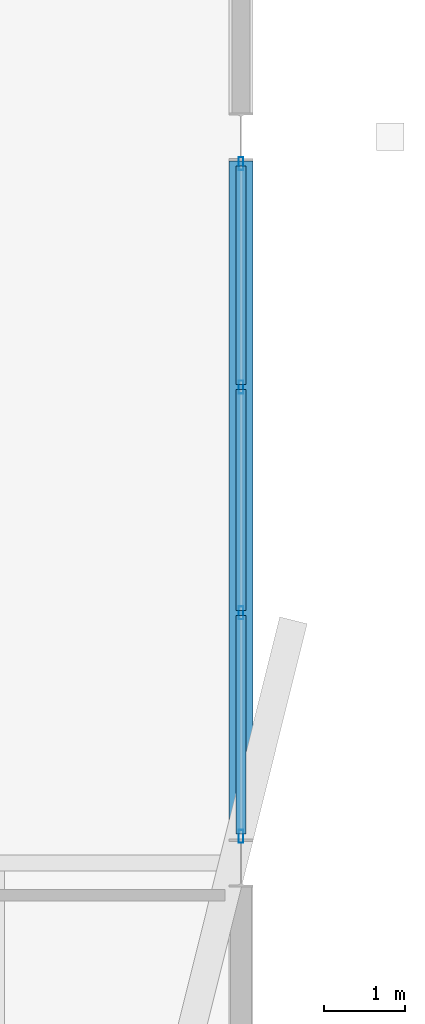
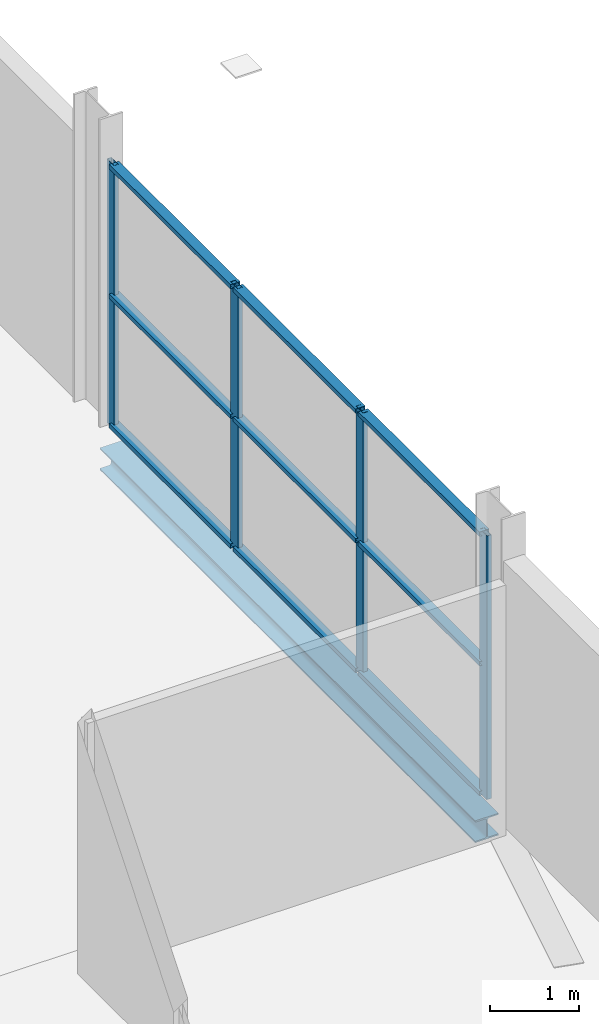
# One storey, part 57 of 88: 13 members, 1 beam, 1 element without a shape of its own.
"""IFC4 building model written with IfcOpenShell, lengths in metres."""

from ifc_helpers import new_model, si_unit, direction, frame, origin, origin_2d, place, context, subcontext, project, spatial, hollow_rectangle, i_section, extrude, material, layer, layer_set, material_profile, profile_set, type_object, element, aggregate, save


model = new_model("IFC4")

# Units and contexts
model_context = context("Model", 3, precision=1e-05, world=origin(), true_north=direction((0.0, 1.0)))
body_context = subcontext(model_context, "Body", "Model", "MODEL_VIEW")
ifc_project = project(units=[si_unit("LENGTHUNIT", "METRE"), si_unit("AREAUNIT", "SQUARE_METRE"), si_unit("VOLUMEUNIT", "CUBIC_METRE"), si_unit("PLANEANGLEUNIT", "RADIAN"), si_unit("MASSUNIT", "GRAM", prefix="KILO")], contexts=[model_context])

# Site, building, storey
site_placement = place(None, origin())
site = spatial("IfcSite", under=ifc_project, at=site_placement, CompositionType="ELEMENT")
building_placement = place(site_placement, origin())
building = spatial("IfcBuilding", under=site, at=building_placement, Name="Deido Ridge Mobility Hub", CompositionType="ELEMENT")
storey_placement = place(building_placement, frame((0.0, 0.0, 16.800048828125)))
storey = spatial("IfcBuildingStorey", under=building, at=storey_placement, Name="L04", CompositionType="ELEMENT", Elevation=16.800048828125)

# Curtain wall, members
ifc_material_1 = material(Name="Anodised aluminium EN AW-6063 T6", Category="aluminium")
ifc_layer = layer(ifc_material_1, 0.195068359375, Name="Anodised aluminium EN AW-6063 T6")
ifc_layer_set = layer_set([ifc_layer], Name="Anodised aluminium EN AW-6063 T6")
curtain_wall_type = type_object("IfcCurtainWallType", Name="CW-UF-3", PredefinedType="USERDEFINED", material=ifc_layer_set)
curtain_wall_placement = place(storey_placement, origin())
curtain_wall = element("IfcCurtainWall", 1, at=curtain_wall_placement, inside=storey, type_object=curtain_wall_type, Name="Unitised curtain wall CW3", ObjectType="UNITISED FACADE", PredefinedType="USERDEFINED")
ifc_material_profile_1 = material_profile(ifc_material_1, hollow_rectangle(XDim=0.06005859375, YDim=0.159912109375, WallThickness=0.00390625, at=origin_2d()), Name="RHS 60x160x4")
ifc_profile_set_1 = profile_set([ifc_material_profile_1], Name="Anodised aluminium EN AW-6063 T6")
member_type_1 = type_object("IfcMemberType", Name="MEM-MUL-60X160", PredefinedType="MULLION", material=ifc_profile_set_1)
member_1_placement = place(storey_placement, frame((180.0, 36.330078125, 0.0), z_axis=(0.0, 0.0, 1.0), x_axis=(-1.0, 0.0, 0.0)))
member_1 = element("IfcMember", 2, at=member_1_placement, type_object=member_type_1, Name="CW3 mullion 1", PredefinedType="MULLION", context=body_context, shape_type="SweptSolid", body=[
    extrude(hollow_rectangle(XDim=0.06005859375, YDim=0.159912109375, WallThickness=0.00390625, at=origin_2d()), origin(), (0.0, 0.0, 1.0), 3.599853515625),
])
member_2_placement = place(storey_placement, frame((180.0, 39.10009765625, 0.0), z_axis=(0.0, 0.0, 1.0), x_axis=(-1.0, 0.0, 0.0)))
member_2 = element("IfcMember", 3, at=member_2_placement, type_object=member_type_1, Name="CW3 mullion 2", PredefinedType="MULLION", context=body_context, shape_type="SweptSolid", body=[
    extrude(hollow_rectangle(XDim=0.06005859375, YDim=0.159912109375, WallThickness=0.00390625, at=origin_2d()), origin(), (0.0, 0.0, 1.0), 3.599853515625),
])
member_3_placement = place(storey_placement, frame((180.0, 41.89990234375, 0.0), z_axis=(0.0, 0.0, 1.0), x_axis=(-1.0, 0.0, 0.0)))
member_3 = element("IfcMember", 4, at=member_3_placement, type_object=member_type_1, Name="CW3 mullion 3", PredefinedType="MULLION", context=body_context, shape_type="SweptSolid", body=[
    extrude(hollow_rectangle(XDim=0.06005859375, YDim=0.159912109375, WallThickness=0.00390625, at=origin_2d()), origin(), (0.0, 0.0, 1.0), 3.599853515625),
])
member_4_placement = place(storey_placement, frame((180.0, 44.669921875, 0.0), z_axis=(0.0, 0.0, 1.0), x_axis=(-1.0, 0.0, 0.0)))
member_4 = element("IfcMember", 5, at=member_4_placement, type_object=member_type_1, Name="CW3 mullion 4", PredefinedType="MULLION", context=body_context, shape_type="SweptSolid", body=[
    extrude(hollow_rectangle(XDim=0.06005859375, YDim=0.159912109375, WallThickness=0.00390625, at=origin_2d()), origin(), (0.0, 0.0, 1.0), 3.599853515625),
])
ifc_material_profile_2 = material_profile(ifc_material_1, hollow_rectangle(XDim=0.125, YDim=0.06005859375, WallThickness=0.00390625, at=origin_2d()), Name="RHS 125x60x4")
ifc_profile_set_2 = profile_set([ifc_material_profile_2], Name="Anodised aluminium EN AW-6063 T6")
member_type_2 = type_object("IfcMemberType", Name="MEM-TRN-125X60", PredefinedType="USERDEFINED", material=ifc_profile_set_2)
member_5_placement = place(storey_placement, frame((180.0, 36.360107421875, 0.030029296875), z_axis=(0.0, 1.0, 0.0), x_axis=(-1.0, 0.0, 0.0)))
member_5 = element("IfcMember", 6, at=member_5_placement, type_object=member_type_2, Name="CW3 transom 1.1", ObjectType="TRANSOM", PredefinedType="USERDEFINED", context=body_context, shape_type="SweptSolid", body=[
    extrude(hollow_rectangle(XDim=0.125, YDim=0.06005859375, WallThickness=0.00390625, at=origin_2d()), origin(), (0.0, 0.0, 1.0), 2.7099609375),
])
member_6_placement = place(storey_placement, frame((180.0, 36.360107421875, 1.800048828125), z_axis=(0.0, 1.0, 0.0), x_axis=(-1.0, 0.0, 0.0)))
member_6 = element("IfcMember", 7, at=member_6_placement, type_object=member_type_2, Name="CW3 transom 1.2", ObjectType="TRANSOM", PredefinedType="USERDEFINED", context=body_context, shape_type="SweptSolid", body=[
    extrude(hollow_rectangle(XDim=0.125, YDim=0.06005859375, WallThickness=0.00390625, at=origin_2d()), origin(), (0.0, 0.0, 1.0), 2.7099609375),
])
member_7_placement = place(storey_placement, frame((180.0, 36.360107421875, 3.570068359375), z_axis=(0.0, 1.0, 0.0), x_axis=(-1.0, 0.0, 0.0)))
member_7 = element("IfcMember", 8, at=member_7_placement, type_object=member_type_2, Name="CW3 transom 1.3", ObjectType="TRANSOM", PredefinedType="USERDEFINED", context=body_context, shape_type="SweptSolid", body=[
    extrude(hollow_rectangle(XDim=0.125, YDim=0.06005859375, WallThickness=0.00390625, at=origin_2d()), origin(), (0.0, 0.0, 1.0), 2.7099609375),
])
member_8_placement = place(storey_placement, frame((180.0, 39.1298828125, 0.030029296875), z_axis=(0.0, 1.0, 0.0), x_axis=(-1.0, 0.0, 0.0)))
member_8 = element("IfcMember", 9, at=member_8_placement, type_object=member_type_2, Name="CW3 transom 2.1", ObjectType="TRANSOM", PredefinedType="USERDEFINED", context=body_context, shape_type="SweptSolid", body=[
    extrude(hollow_rectangle(XDim=0.125, YDim=0.06005859375, WallThickness=0.00390625, at=origin_2d()), origin(), (0.0, 0.0, 1.0), 2.740234375),
])
member_9_placement = place(storey_placement, frame((180.0, 39.1298828125, 1.800048828125), z_axis=(0.0, 1.0, 0.0), x_axis=(-1.0, 0.0, 0.0)))
member_9 = element("IfcMember", 10, at=member_9_placement, type_object=member_type_2, Name="CW3 transom 2.2", ObjectType="TRANSOM", PredefinedType="USERDEFINED", context=body_context, shape_type="SweptSolid", body=[
    extrude(hollow_rectangle(XDim=0.125, YDim=0.06005859375, WallThickness=0.00390625, at=origin_2d()), origin(), (0.0, 0.0, 1.0), 2.740234375),
])
member_10_placement = place(storey_placement, frame((180.0, 39.1298828125, 3.570068359375), z_axis=(0.0, 1.0, 0.0), x_axis=(-1.0, 0.0, 0.0)))
member_10 = element("IfcMember", 11, at=member_10_placement, type_object=member_type_2, Name="CW3 transom 2.3", ObjectType="TRANSOM", PredefinedType="USERDEFINED", context=body_context, shape_type="SweptSolid", body=[
    extrude(hollow_rectangle(XDim=0.125, YDim=0.06005859375, WallThickness=0.00390625, at=origin_2d()), origin(), (0.0, 0.0, 1.0), 2.740234375),
])
member_11_placement = place(storey_placement, frame((180.0, 41.929931640625, 0.030029296875), z_axis=(0.0, 1.0, 0.0), x_axis=(-1.0, 0.0, 0.0)))
member_11 = element("IfcMember", 12, at=member_11_placement, type_object=member_type_2, Name="CW3 transom 3.1", ObjectType="TRANSOM", PredefinedType="USERDEFINED", context=body_context, shape_type="SweptSolid", body=[
    extrude(hollow_rectangle(XDim=0.125, YDim=0.06005859375, WallThickness=0.00390625, at=origin_2d()), origin(), (0.0, 0.0, 1.0), 2.7099609375),
])
member_12_placement = place(storey_placement, frame((180.0, 41.929931640625, 1.800048828125), z_axis=(0.0, 1.0, 0.0), x_axis=(-1.0, 0.0, 0.0)))
member_12 = element("IfcMember", 13, at=member_12_placement, type_object=member_type_2, Name="CW3 transom 3.2", ObjectType="TRANSOM", PredefinedType="USERDEFINED", context=body_context, shape_type="SweptSolid", body=[
    extrude(hollow_rectangle(XDim=0.125, YDim=0.06005859375, WallThickness=0.00390625, at=origin_2d()), origin(), (0.0, 0.0, 1.0), 2.7099609375),
])
member_13_placement = place(storey_placement, frame((180.0, 41.929931640625, 3.570068359375), z_axis=(0.0, 1.0, 0.0), x_axis=(-1.0, 0.0, 0.0)))
member_13 = element("IfcMember", 14, at=member_13_placement, type_object=member_type_2, Name="CW3 transom 3.3", ObjectType="TRANSOM", PredefinedType="USERDEFINED", context=body_context, shape_type="SweptSolid", body=[
    extrude(hollow_rectangle(XDim=0.125, YDim=0.06005859375, WallThickness=0.00390625, at=origin_2d()), origin(), (0.0, 0.0, 1.0), 2.7099609375),
])
aggregate(curtain_wall, [member_1, member_2, member_3, member_4, member_5, member_6, member_7, member_8, member_9, member_10, member_11, member_12, member_13])

# Beam
ifc_material_2 = material(Name="Steel S355J2 EN 10025-2", Category="steel")
ifc_material_profile_3 = material_profile(ifc_material_2, i_section(OverallWidth=0.300048828125, OverallDepth=0.300048828125, WebThickness=0.010986328125, FlangeThickness=0.01904296875, FilletRadius=0.027099609375, at=origin_2d()), Name="HEB 300")
ifc_profile_set_3 = profile_set([ifc_material_profile_3], Name="Steel S355J2 EN 10025-2")
beam_type = type_object("IfcBeamType", Name="SPD-HEB300", PredefinedType="SPANDREL", material=ifc_profile_set_3)
beam_placement = place(storey_placement, frame((180.0, 36.300048828125, -0.425048828125), z_axis=(0.0, 1.0, 0.0), x_axis=(-1.0, 0.0, 0.0)))
element("IfcBeam", 15, at=beam_placement, inside=storey, type_object=beam_type, Name="Floor beam SP1", PredefinedType="SPANDREL", context=body_context, shape_type="SweptSolid", body=[
    extrude(i_section(OverallWidth=0.300048828125, OverallDepth=0.300048828125, WebThickness=0.010986328125, FlangeThickness=0.01904296875, FilletRadius=0.027099609375, at=origin_2d()), origin(), (0.0, 0.0, 1.0), 8.39990234375),
])

save(model, "model.ifc")
